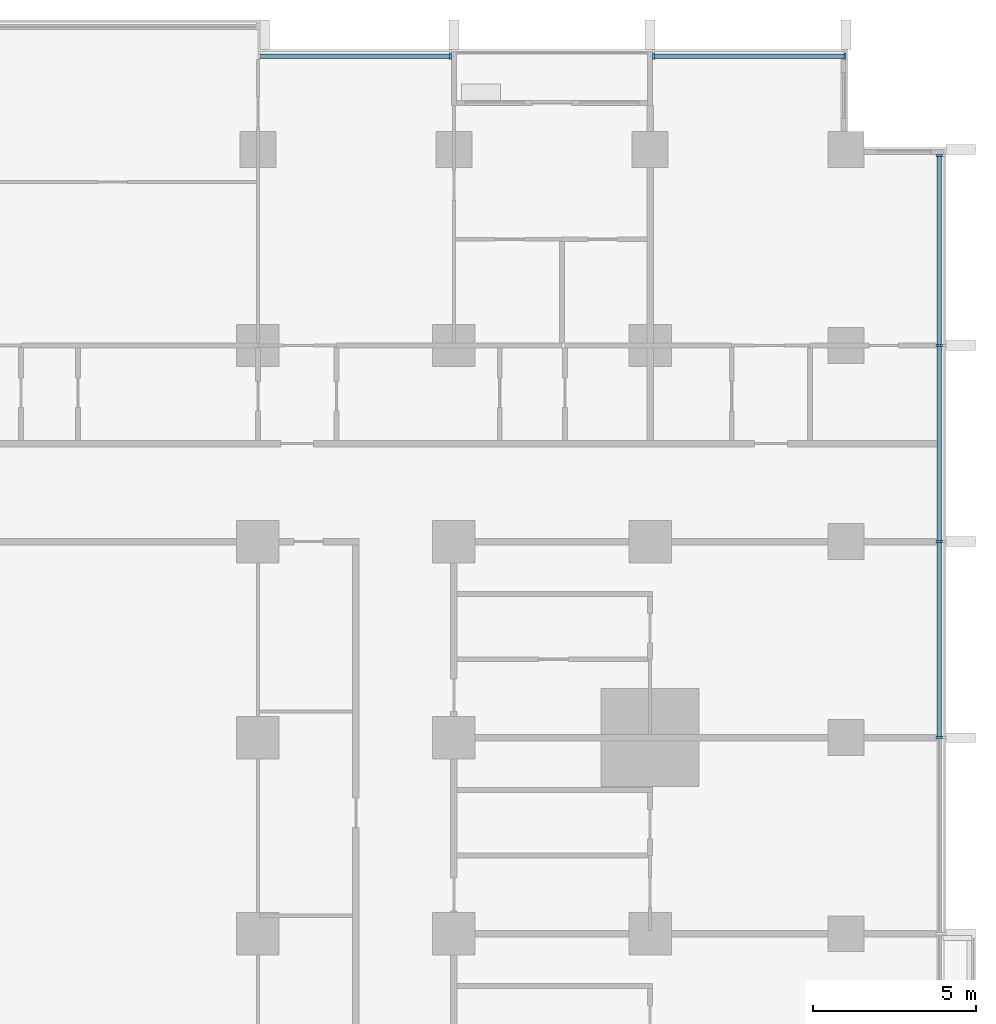
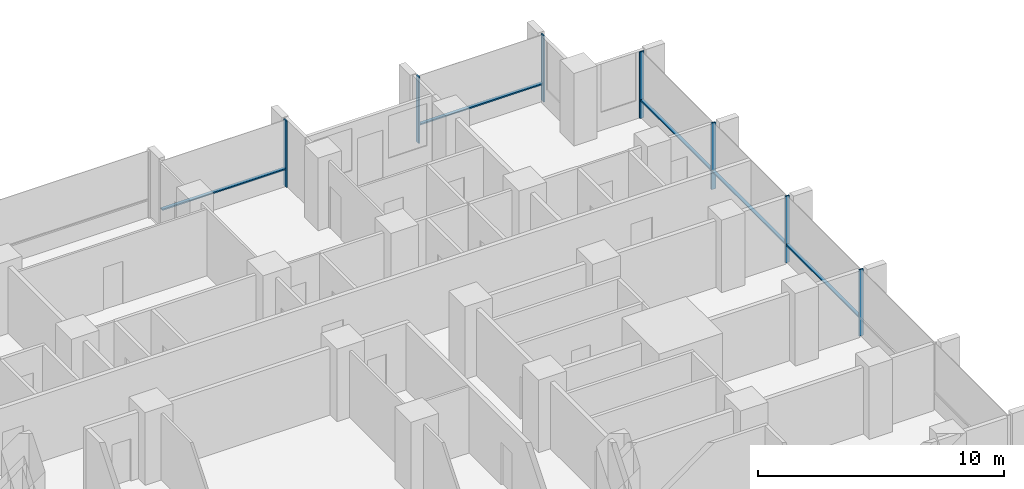
# One storey, part 5 of 18: 12 members, 3 elements without a shape of their own.
"""IFC4 building model written with IfcOpenShell, lengths in metres."""

from ifc_helpers import new_model, si_unit, direction, frame, origin, origin_2d, place, context, subcontext, project, spatial, rectangle, extrude, material, material_profile, profile_set, type_object, element, aggregate, save


model = new_model("IFC4")

# Units and contexts
model_context = context("Model", 3, precision=1e-05, world=origin(), true_north=direction((0.0, 1.0)))
body_context = subcontext(model_context, "Body", "Model", "MODEL_VIEW")
ifc_project = project(units=[si_unit("LENGTHUNIT", "METRE"), si_unit("AREAUNIT", "SQUARE_METRE"), si_unit("VOLUMEUNIT", "CUBIC_METRE"), si_unit("PLANEANGLEUNIT", "RADIAN"), si_unit("MASSUNIT", "GRAM", prefix="KILO")], contexts=[model_context])

# Site, building, storey
site_placement = place(None, origin())
site = spatial("IfcSite", under=ifc_project, at=site_placement, CompositionType="ELEMENT")
building_placement = place(site_placement, origin())
building = spatial("IfcBuilding", under=site, at=building_placement, Name="Finial Court Residences", CompositionType="ELEMENT")
storey_placement = place(building_placement, frame((0.0, 0.0, 46.89990234375)))
storey = spatial("IfcBuildingStorey", under=building, at=storey_placement, Name="L10", CompositionType="ELEMENT", Elevation=46.89990234375)

# Curtain wall, member
ifc_material = material(Name="Bronze anodised aluminium", Category="aluminium")
curtain_wall_type = type_object("IfcCurtainWallType", Name="Unitised curtain wall, lower and middle zones", PredefinedType="NOTDEFINED", material=ifc_material)
curtain_wall_1_placement = place(storey_placement, origin())
curtain_wall_1 = element("IfcCurtainWall", 1, at=curtain_wall_1_placement, inside=storey, type_object=curtain_wall_type, Name="E-L10-CW-N3", PredefinedType="NOTDEFINED")
ifc_material_profile_1 = material_profile(ifc_material, rectangle(XDim=0.199951171875, YDim=0.06494140625, at=origin_2d()), Name="CW1 mullion 65 x 200")
ifc_profile_set_1 = profile_set([ifc_material_profile_1], Name="Bronze anodised aluminium")
member_type_1 = type_object("IfcMemberType", Name="CW1 mullion 65 x 200", PredefinedType="MULLION", material=ifc_profile_set_1)
member_1_placement = place(storey_placement, frame((10.392578125, 28.35009765625, 0.0), z_axis=(0.0, 0.0, 1.0), x_axis=(0.0, 1.0, 0.0)))
member_1 = element("IfcMember", 2, at=member_1_placement, type_object=member_type_1, Name="CW1 mullion 2", PredefinedType="MULLION", context=body_context, shape_type="SweptSolid", body=[
    extrude(rectangle(XDim=0.199951171875, YDim=0.06494140625, at=origin_2d()), origin(), (0.0, 0.0, 1.0), 3.300048828125),
])

# Curtain wall, members
curtain_wall_2_placement = place(storey_placement, origin())
curtain_wall_2 = element("IfcCurtainWall", 3, at=curtain_wall_2_placement, inside=storey, type_object=curtain_wall_type, Name="E-L10-CW-N4", PredefinedType="NOTDEFINED")
member_2_placement = place(storey_placement, frame((16.607421875, 28.35009765625, 0.0), z_axis=(0.0, 0.0, 1.0), x_axis=(0.0, 1.0, 0.0)))
member_2 = element("IfcMember", 4, at=member_2_placement, type_object=member_type_1, Name="CW1 mullion 1", PredefinedType="MULLION", context=body_context, shape_type="SweptSolid", body=[
    extrude(rectangle(XDim=0.199951171875, YDim=0.06494140625, at=origin_2d()), origin(), (0.0, 0.0, 1.0), 3.300048828125),
])
member_3_placement = place(storey_placement, frame((22.467529296875, 28.35009765625, 0.0), z_axis=(0.0, 0.0, 1.0), x_axis=(0.0, 1.0, 0.0)))
member_3 = element("IfcMember", 5, at=member_3_placement, type_object=member_type_1, Name="CW1 mullion 2", PredefinedType="MULLION", context=body_context, shape_type="SweptSolid", body=[
    extrude(rectangle(XDim=0.199951171875, YDim=0.06494140625, at=origin_2d()), origin(), (0.0, 0.0, 1.0), 3.300048828125),
])

curtain_wall_3_placement = place(storey_placement, origin())
curtain_wall_3 = element("IfcCurtainWall", 6, at=curtain_wall_3_placement, inside=storey, type_object=curtain_wall_type, Name="E-L10-CW-E7", PredefinedType="NOTDEFINED")
member_4_placement = place(storey_placement, frame((25.35009765625, 7.5, 0.0), z_axis=(0.0, 0.0, 1.0), x_axis=(-1.0, 0.0, 0.0)))
member_4 = element("IfcMember", 7, at=member_4_placement, type_object=member_type_1, Name="CW1 mullion 3", PredefinedType="MULLION", context=body_context, shape_type="SweptSolid", body=[
    extrude(rectangle(XDim=0.199951171875, YDim=0.06494140625, at=origin_2d()), origin(), (0.0, 0.0, 1.0), 3.300048828125),
])
member_5_placement = place(storey_placement, frame((25.35009765625, 13.5, 0.0), z_axis=(0.0, 0.0, 1.0), x_axis=(-1.0, 0.0, 0.0)))
member_5 = element("IfcMember", 8, at=member_5_placement, type_object=member_type_1, Name="CW1 mullion 4", PredefinedType="MULLION", context=body_context, shape_type="SweptSolid", body=[
    extrude(rectangle(XDim=0.199951171875, YDim=0.06494140625, at=origin_2d()), origin(), (0.0, 0.0, 1.0), 3.300048828125),
])
member_6_placement = place(storey_placement, frame((25.35009765625, 19.5, 0.0), z_axis=(0.0, 0.0, 1.0), x_axis=(-1.0, 0.0, 0.0)))
member_6 = element("IfcMember", 9, at=member_6_placement, type_object=member_type_1, Name="CW1 mullion 5", PredefinedType="MULLION", context=body_context, shape_type="SweptSolid", body=[
    extrude(rectangle(XDim=0.199951171875, YDim=0.06494140625, at=origin_2d()), origin(), (0.0, 0.0, 1.0), 3.300048828125),
])
member_7_placement = place(storey_placement, frame((25.35009765625, 25.3173828125, 0.0), z_axis=(0.0, 0.0, 1.0), x_axis=(-1.0, 0.0, 0.0)))
member_7 = element("IfcMember", 10, at=member_7_placement, type_object=member_type_1, Name="CW1 mullion 6", PredefinedType="MULLION", context=body_context, shape_type="SweptSolid", body=[
    extrude(rectangle(XDim=0.199951171875, YDim=0.06494140625, at=origin_2d()), origin(), (0.0, 0.0, 1.0), 3.300048828125),
])

# Member
ifc_material_profile_2 = material_profile(ifc_material, rectangle(XDim=0.14990234375, YDim=0.06494140625, at=origin_2d()), Name="CW1 transom 65 x 150")
ifc_profile_set_2 = profile_set([ifc_material_profile_2], Name="Bronze anodised aluminium")
member_type_2 = type_object("IfcMemberType", Name="CW1 transom 65 x 150", PredefinedType="USERDEFINED", material=ifc_profile_set_2)
member_8_placement = place(storey_placement, frame((4.56494140625, 28.35009765625, 0.900146484375), z_axis=(1.0, 0.0, 0.0), x_axis=(0.0, 1.0, 0.0)))
member_8 = element("IfcMember", 11, at=member_8_placement, type_object=member_type_2, Name="CW1 transom 1.1", ObjectType="TRANSOM", PredefinedType="USERDEFINED", context=body_context, shape_type="SweptSolid", body=[
    extrude(rectangle(XDim=0.14990234375, YDim=0.06494140625, at=origin_2d()), origin(), (0.0, 0.0, 1.0), 5.795166015625),
])

aggregate(curtain_wall_1, [member_1, member_8])

member_9_placement = place(storey_placement, frame((16.639892578125, 28.35009765625, 0.900146484375), z_axis=(1.0, 0.0, 0.0), x_axis=(0.0, 1.0, 0.0)))
member_9 = element("IfcMember", 12, at=member_9_placement, type_object=member_type_2, Name="CW1 transom 1.1", ObjectType="TRANSOM", PredefinedType="USERDEFINED", context=body_context, shape_type="SweptSolid", body=[
    extrude(rectangle(XDim=0.14990234375, YDim=0.06494140625, at=origin_2d()), origin(), (0.0, 0.0, 1.0), 5.795166015625),
])

aggregate(curtain_wall_2, [member_2, member_3, member_9])

member_10_placement = place(storey_placement, frame((25.35009765625, 7.532470703125, 0.900146484375), z_axis=(0.0, 1.0, 0.0), x_axis=(-1.0, 0.0, 0.0)))
member_10 = element("IfcMember", 13, at=member_10_placement, type_object=member_type_2, Name="CW1 transom 3.1", ObjectType="TRANSOM", PredefinedType="USERDEFINED", context=body_context, shape_type="SweptSolid", body=[
    extrude(rectangle(XDim=0.14990234375, YDim=0.06494140625, at=origin_2d()), origin(), (0.0, 0.0, 1.0), 5.93505859375),
])

member_11_placement = place(storey_placement, frame((25.35009765625, 13.532470703125, 0.900146484375), z_axis=(0.0, 1.0, 0.0), x_axis=(-1.0, 0.0, 0.0)))
member_11 = element("IfcMember", 14, at=member_11_placement, type_object=member_type_2, Name="CW1 transom 4.1", ObjectType="TRANSOM", PredefinedType="USERDEFINED", context=body_context, shape_type="SweptSolid", body=[
    extrude(rectangle(XDim=0.14990234375, YDim=0.06494140625, at=origin_2d()), origin(), (0.0, 0.0, 1.0), 5.93505859375),
])

member_12_placement = place(storey_placement, frame((25.35009765625, 19.532470703125, 0.900146484375), z_axis=(0.0, 1.0, 0.0), x_axis=(-1.0, 0.0, 0.0)))
member_12 = element("IfcMember", 15, at=member_12_placement, type_object=member_type_2, Name="CW1 transom 5.1", ObjectType="TRANSOM", PredefinedType="USERDEFINED", context=body_context, shape_type="SweptSolid", body=[
    extrude(rectangle(XDim=0.14990234375, YDim=0.06494140625, at=origin_2d()), origin(), (0.0, 0.0, 1.0), 5.75244140625),
])

aggregate(curtain_wall_3, [member_4, member_5, member_6, member_7, member_10, member_11, member_12])

save(model, "model.ifc")
